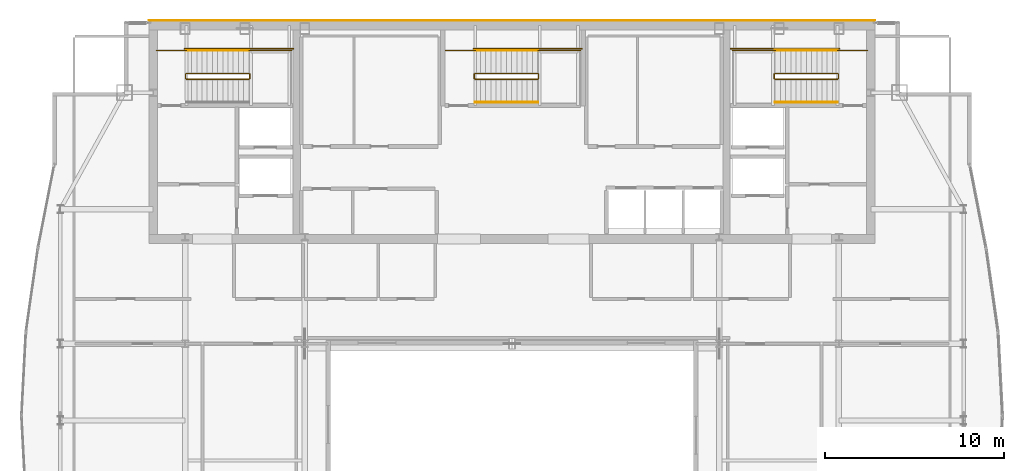
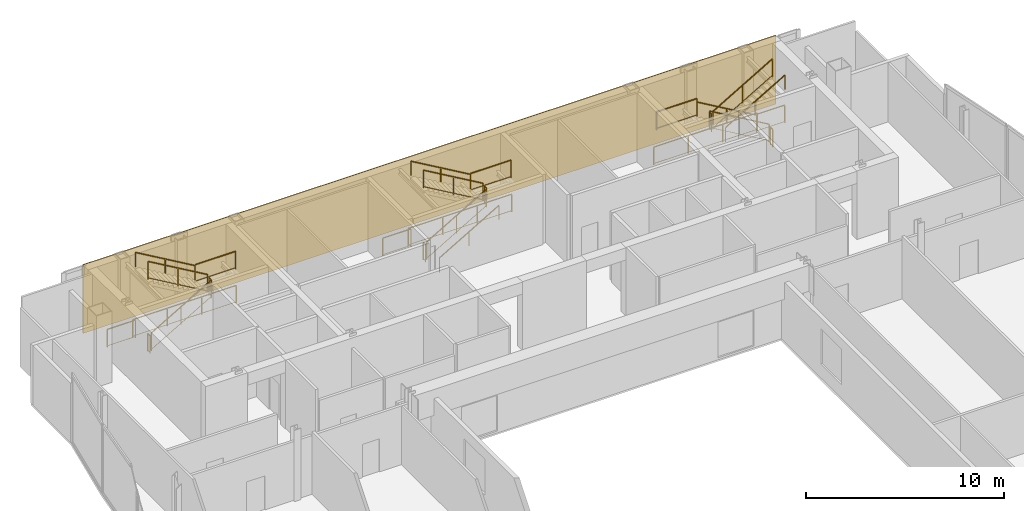
# One storey, part 27 of 27: 26 railings, 1 covering.
"""IFC4 building model written with IfcOpenShell, lengths in metres."""

from ifc_helpers import new_model, si_unit, direction, frame, origin, origin_2d, place, context, subcontext, project, spatial, polyline, rectangle, outline, extrude, material, layer, layer_set, type_object, element, save


model = new_model("IFC4")

# Units and contexts
model_context = context("Model", 3, precision=1e-05, world=origin(), true_north=direction((0.0, 1.0)))
body_context = subcontext(model_context, "Body", "Model", "MODEL_VIEW")
ifc_project = project(units=[si_unit("LENGTHUNIT", "METRE"), si_unit("AREAUNIT", "SQUARE_METRE"), si_unit("VOLUMEUNIT", "CUBIC_METRE"), si_unit("PLANEANGLEUNIT", "RADIAN"), si_unit("MASSUNIT", "GRAM", prefix="KILO")], contexts=[model_context])

# Site, building, storey
site_placement = place(None, origin())
site = spatial("IfcSite", under=ifc_project, at=site_placement, CompositionType="ELEMENT")
building_placement = place(site_placement, origin())
building = spatial("IfcBuilding", under=site, at=building_placement, Name="Khoronbel Lancet Exchange", CompositionType="ELEMENT")
storey_placement = place(building_placement, frame((0.0, 0.0, 310.199951171875)))
storey = spatial("IfcBuildingStorey", under=building, at=storey_placement, Name="L80", CompositionType="ELEMENT", Elevation=310.199951171875)

# Covering
ifc_material_1 = material(Name="Honed Egyptian Limestone & Bronze Rainscreen", Category="masonry")
ifc_layer = layer(ifc_material_1, 0.050048828125, Name="Honed Egyptian Limestone & Bronze Rainscreen")
ifc_layer_set = layer_set([ifc_layer], Name="Honed Egyptian Limestone & Bronze Rainscreen")
covering_type = type_object("IfcCoveringType", Name="COV-CLAD1", PredefinedType="CLADDING", material=ifc_layer_set)
covering_placement = place(storey_placement, origin())
element("IfcCovering", 1, at=covering_placement, inside=storey, type_object=covering_type, Name="Level L80 north rear-core stone and bronze rainscreen cladding", PredefinedType="CLADDING", context=body_context, shape_type="SweptSolid", body=[
    extrude(outline(polyline([(16.199951171875, 53.699951171875), (56.699951171875, 53.699951171875), (56.699951171875, 53.75), (16.199951171875, 53.75), (16.199951171875, 53.699951171875)])), origin(), (0.0, 0.0, 1.0), 4.239990234375),
])

# Railings
ifc_material_2 = material(Name="Painted Steel Balustrade", Category="steel")
railing_type_1 = type_object("IfcRailingType", Name="RL-STG110", PredefinedType="GUARDRAIL", material=ifc_material_2)
railing_1_placement = place(storey_placement, frame((18.300048828125, 50.449951171875, 0.169189453125)))
element("IfcRailing", 2, at=railing_1_placement, inside=storey, type_object=railing_type_1, Name="L80 ST1 stair guard 1", PredefinedType="GUARDRAIL", context=body_context, shape_type="SweptSolid", body=[
    extrude(rectangle(XDim=0.048095703125, YDim=0.048095703125, at=origin_2d()), frame((0.0, 0.0, 1.09619140625), z_axis=(0.863695377172, 0.0, 0.504014181796), x_axis=(0.0, 1.0, 0.0)), (0.0, 0.0, 1.0), 4.029296875),
    extrude(rectangle(XDim=0.02392578125, YDim=0.02392578125, at=origin_2d()), frame((0.0, 0.0, 0.080078125), z_axis=(0.863695377172, 0.0, 0.504014181796), x_axis=(0.0, 1.0, 0.0)), (0.0, 0.0, 1.0), 4.029296875),
    extrude(rectangle(XDim=0.0419921875, YDim=0.0419921875, at=origin_2d()), origin(), (0.0, 0.0, 1.0), 1.072021484375),
    extrude(rectangle(XDim=0.0419921875, YDim=0.0419921875, at=origin_2d()), frame((1.739990234375, 0.0, 1.015380859375)), (0.0, 0.0, 1.0), 1.072021484375),
    extrude(rectangle(XDim=0.0419921875, YDim=0.0419921875, at=origin_2d()), frame((3.47998046875, 0.0, 2.03076171875)), (0.0, 0.0, 1.0), 1.072021484375),
])
railing_2_placement = place(storey_placement, frame((21.830078125, 50.5, 2.199951171875)))
element("IfcRailing", 3, at=railing_2_placement, inside=storey, type_object=railing_type_1, Name="L80 ST1 stair guard 2", PredefinedType="GUARDRAIL", context=body_context, shape_type="SweptSolid", body=[
    extrude(rectangle(XDim=0.048095703125, YDim=0.048095703125, at=origin_2d()), frame((0.0, 0.0, 1.09619140625), z_axis=(0.0, 1.0, 0.0), x_axis=(-1.0, 0.0, 0.0)), (0.0, 0.0, 1.0), 0.219970703125),
    extrude(rectangle(XDim=0.02392578125, YDim=0.02392578125, at=origin_2d()), frame((0.0, 0.0, 0.080078125), z_axis=(0.0, 1.0, 0.0), x_axis=(-1.0, 0.0, 0.0)), (0.0, 0.0, 1.0), 0.219970703125),
    extrude(rectangle(XDim=0.0419921875, YDim=0.0419921875, at=origin_2d()), origin(), (0.0, 0.0, 1.0), 1.072021484375),
    extrude(rectangle(XDim=0.0419921875, YDim=0.0419921875, at=origin_2d()), frame((0.0, 0.219970703125, 0.0)), (0.0, 0.0, 1.0), 1.072021484375),
])
railing_3_placement = place(storey_placement, frame((21.780029296875, 52.050048828125, 2.199951171875)))
element("IfcRailing", 4, at=railing_3_placement, inside=storey, type_object=railing_type_1, Name="L80 ST1 stair guard 3", PredefinedType="GUARDRAIL", context=body_context, shape_type="SweptSolid", body=[
    extrude(rectangle(XDim=0.048095703125, YDim=0.048095703125, at=origin_2d()), frame((0.0, 0.0, 1.09619140625), z_axis=(1.0, 0.0, 0.0), x_axis=(0.0, 1.0, 0.0)), (0.0, 0.0, 1.0), 2.369873046875),
    extrude(rectangle(XDim=0.02392578125, YDim=0.02392578125, at=origin_2d()), frame((0.0, 0.0, 0.080078125), z_axis=(1.0, 0.0, 0.0), x_axis=(0.0, 1.0, 0.0)), (0.0, 0.0, 1.0), 2.369873046875),
    extrude(rectangle(XDim=0.0419921875, YDim=0.0419921875, at=origin_2d()), origin(), (0.0, 0.0, 1.0), 1.072021484375),
    extrude(rectangle(XDim=0.0419921875, YDim=0.0419921875, at=origin_2d()), frame((2.369873046875, 0.0, 0.0)), (0.0, 0.0, 1.0), 1.072021484375),
])
railing_4_placement = place(storey_placement, frame((21.780029296875, 50.77001953125, 2.369384765625)))
element("IfcRailing", 5, at=railing_4_placement, inside=storey, type_object=railing_type_1, Name="L80 ST1 stair guard 4", PredefinedType="GUARDRAIL", context=body_context, shape_type="SweptSolid", body=[
    extrude(rectangle(XDim=0.048095703125, YDim=0.048095703125, at=origin_2d()), frame((0.0, 0.0, 1.09619140625), z_axis=(-0.863695377172, 0.0, 0.504014181796), x_axis=(0.0, -1.0, 0.0)), (0.0, 0.0, 1.0), 4.029296875),
    extrude(rectangle(XDim=0.02392578125, YDim=0.02392578125, at=origin_2d()), frame((0.0, 0.0, 0.080078125), z_axis=(-0.863695377172, 0.0, 0.504014181796), x_axis=(0.0, -1.0, 0.0)), (0.0, 0.0, 1.0), 4.029296875),
    extrude(rectangle(XDim=0.0419921875, YDim=0.0419921875, at=origin_2d()), origin(), (0.0, 0.0, 1.0), 1.072021484375),
    extrude(rectangle(XDim=0.0419921875, YDim=0.0419921875, at=origin_2d()), frame((-1.739990234375, 0.0, 1.015380859375)), (0.0, 0.0, 1.0), 1.072021484375),
    extrude(rectangle(XDim=0.0419921875, YDim=0.0419921875, at=origin_2d()), frame((-3.47998046875, 0.0, 2.03076171875)), (0.0, 0.0, 1.0), 1.072021484375),
])
railing_5_placement = place(storey_placement, frame((18.25, 50.5, 0.0)))
element("IfcRailing", 6, at=railing_5_placement, inside=storey, type_object=railing_type_1, Name="L80 ST1 stair guard 5", PredefinedType="GUARDRAIL", context=body_context, shape_type="SweptSolid", body=[
    extrude(rectangle(XDim=0.048095703125, YDim=0.048095703125, at=origin_2d()), frame((0.0, 0.0, 1.09619140625), z_axis=(0.0, 1.0, 0.0), x_axis=(-1.0, 0.0, 0.0)), (0.0, 0.0, 1.0), 0.219970703125),
    extrude(rectangle(XDim=0.02392578125, YDim=0.02392578125, at=origin_2d()), frame((0.0, 0.0, 0.080078125), z_axis=(0.0, 1.0, 0.0), x_axis=(-1.0, 0.0, 0.0)), (0.0, 0.0, 1.0), 0.219970703125),
    extrude(rectangle(XDim=0.0419921875, YDim=0.0419921875, at=origin_2d()), origin(), (0.0, 0.0, 1.0), 1.072021484375),
    extrude(rectangle(XDim=0.0419921875, YDim=0.0419921875, at=origin_2d()), frame((0.0, 0.219970703125, 0.0)), (0.0, 0.0, 1.0), 1.072021484375),
])
railing_6_placement = place(storey_placement, frame((16.64990234375, 52.050048828125, 0.0)))
element("IfcRailing", 7, at=railing_6_placement, inside=storey, type_object=railing_type_1, Name="L80 ST1 stair guard 6", PredefinedType="GUARDRAIL", context=body_context, shape_type="SweptSolid", body=[
    extrude(rectangle(XDim=0.048095703125, YDim=0.048095703125, at=origin_2d()), frame((0.0, 0.0, 1.09619140625), z_axis=(1.0, 0.0, 0.0), x_axis=(0.0, 1.0, 0.0)), (0.0, 0.0, 1.0), 1.650146484375),
    extrude(rectangle(XDim=0.02392578125, YDim=0.02392578125, at=origin_2d()), frame((0.0, 0.0, 0.080078125), z_axis=(1.0, 0.0, 0.0), x_axis=(0.0, 1.0, 0.0)), (0.0, 0.0, 1.0), 1.650146484375),
    extrude(rectangle(XDim=0.0419921875, YDim=0.0419921875, at=origin_2d()), origin(), (0.0, 0.0, 1.0), 1.072021484375),
    extrude(rectangle(XDim=0.0419921875, YDim=0.0419921875, at=origin_2d()), frame((1.650146484375, 0.0, 0.0)), (0.0, 0.0, 1.0), 1.072021484375),
])
railing_7_placement = place(storey_placement, frame((18.199951171875, 52.14990234375, 0.0)))
element("IfcRailing", 8, at=railing_7_placement, inside=storey, type_object=railing_type_1, Name="L80 ST1 stair guard 7", PredefinedType="GUARDRAIL", context=body_context, shape_type="SweptSolid", body=[
    extrude(rectangle(XDim=0.048095703125, YDim=0.048095703125, at=origin_2d()), frame((0.0, 0.0, 1.09619140625), z_axis=(1.0, 0.0, 0.0), x_axis=(0.0, 1.0, 0.0)), (0.0, 0.0, 1.0), 6.050048828125),
    extrude(rectangle(XDim=0.02392578125, YDim=0.02392578125, at=origin_2d()), frame((0.0, 0.0, 0.080078125), z_axis=(1.0, 0.0, 0.0), x_axis=(0.0, 1.0, 0.0)), (0.0, 0.0, 1.0), 6.050048828125),
    extrude(rectangle(XDim=0.0419921875, YDim=0.0419921875, at=origin_2d()), origin(), (0.0, 0.0, 1.0), 1.072021484375),
    extrude(rectangle(XDim=0.0419921875, YDim=0.0419921875, at=origin_2d()), frame((2.0166015625, 0.0, 0.0)), (0.0, 0.0, 1.0), 1.072021484375),
    extrude(rectangle(XDim=0.0419921875, YDim=0.0419921875, at=origin_2d()), frame((4.033447265625, 0.0, 0.0)), (0.0, 0.0, 1.0), 1.072021484375),
    extrude(rectangle(XDim=0.0419921875, YDim=0.0419921875, at=origin_2d()), frame((6.050048828125, 0.0, 0.0)), (0.0, 0.0, 1.0), 1.072021484375),
])
railing_8_placement = place(storey_placement, frame((54.60009765625, 50.77001953125, 0.169189453125)))
element("IfcRailing", 9, at=railing_8_placement, inside=storey, type_object=railing_type_1, Name="L80 ST2 stair guard 1", PredefinedType="GUARDRAIL", context=body_context, shape_type="SweptSolid", body=[
    extrude(rectangle(XDim=0.048095703125, YDim=0.048095703125, at=origin_2d()), frame((0.0, 0.0, 1.09619140625), z_axis=(-0.863695377172, 0.0, 0.504014181796), x_axis=(0.0, -1.0, 0.0)), (0.0, 0.0, 1.0), 4.029296875),
    extrude(rectangle(XDim=0.02392578125, YDim=0.02392578125, at=origin_2d()), frame((0.0, 0.0, 0.080078125), z_axis=(-0.863695377172, 0.0, 0.504014181796), x_axis=(0.0, -1.0, 0.0)), (0.0, 0.0, 1.0), 4.029296875),
    extrude(rectangle(XDim=0.0419921875, YDim=0.0419921875, at=origin_2d()), origin(), (0.0, 0.0, 1.0), 1.072021484375),
    extrude(rectangle(XDim=0.0419921875, YDim=0.0419921875, at=origin_2d()), frame((-1.739990234375, 0.0, 1.015380859375)), (0.0, 0.0, 1.0), 1.072021484375),
    extrude(rectangle(XDim=0.0419921875, YDim=0.0419921875, at=origin_2d()), frame((-3.47998046875, 0.0, 2.03076171875)), (0.0, 0.0, 1.0), 1.072021484375),
])
railing_9_placement = place(storey_placement, frame((51.070068359375, 50.719970703125, 2.199951171875)))
element("IfcRailing", 10, at=railing_9_placement, inside=storey, type_object=railing_type_1, Name="L80 ST2 stair guard 2", PredefinedType="GUARDRAIL", context=body_context, shape_type="SweptSolid", body=[
    extrude(rectangle(XDim=0.048095703125, YDim=0.048095703125, at=origin_2d()), frame((0.0, 0.0, 1.09619140625), z_axis=(0.0, -1.0, 0.0), x_axis=(1.0, 0.0, 0.0)), (0.0, 0.0, 1.0), 0.219970703125),
    extrude(rectangle(XDim=0.02392578125, YDim=0.02392578125, at=origin_2d()), frame((0.0, 0.0, 0.080078125), z_axis=(0.0, -1.0, 0.0), x_axis=(1.0, 0.0, 0.0)), (0.0, 0.0, 1.0), 0.219970703125),
    extrude(rectangle(XDim=0.0419921875, YDim=0.0419921875, at=origin_2d()), origin(), (0.0, 0.0, 1.0), 1.072021484375),
    extrude(rectangle(XDim=0.0419921875, YDim=0.0419921875, at=origin_2d()), frame((0.0, -0.219970703125, 0.0)), (0.0, 0.0, 1.0), 1.072021484375),
])
railing_10_placement = place(storey_placement, frame((51.1201171875, 52.050048828125, 2.199951171875)))
element("IfcRailing", 11, at=railing_10_placement, inside=storey, type_object=railing_type_1, Name="L80 ST2 stair guard 3", PredefinedType="GUARDRAIL", context=body_context, shape_type="SweptSolid", body=[
    extrude(rectangle(XDim=0.048095703125, YDim=0.048095703125, at=origin_2d()), frame((0.0, 0.0, 1.09619140625), z_axis=(-1.0, 0.0, 0.0), x_axis=(0.0, -1.0, 0.0)), (0.0, 0.0, 1.0), 2.3701171875),
    extrude(rectangle(XDim=0.02392578125, YDim=0.02392578125, at=origin_2d()), frame((0.0, 0.0, 0.080078125), z_axis=(-1.0, 0.0, 0.0), x_axis=(0.0, -1.0, 0.0)), (0.0, 0.0, 1.0), 2.3701171875),
    extrude(rectangle(XDim=0.0419921875, YDim=0.0419921875, at=origin_2d()), origin(), (0.0, 0.0, 1.0), 1.072021484375),
    extrude(rectangle(XDim=0.0419921875, YDim=0.0419921875, at=origin_2d()), frame((-2.3701171875, 0.0, 0.0)), (0.0, 0.0, 1.0), 1.072021484375),
])
railing_11_placement = place(storey_placement, frame((51.1201171875, 50.449951171875, 2.369384765625)))
element("IfcRailing", 12, at=railing_11_placement, inside=storey, type_object=railing_type_1, Name="L80 ST2 stair guard 4", PredefinedType="GUARDRAIL", context=body_context, shape_type="SweptSolid", body=[
    extrude(rectangle(XDim=0.048095703125, YDim=0.048095703125, at=origin_2d()), frame((0.0, 0.0, 1.09619140625), z_axis=(0.863695377172, 0.0, 0.504014181796), x_axis=(0.0, 1.0, 0.0)), (0.0, 0.0, 1.0), 4.029296875),
    extrude(rectangle(XDim=0.02392578125, YDim=0.02392578125, at=origin_2d()), frame((0.0, 0.0, 0.080078125), z_axis=(0.863695377172, 0.0, 0.504014181796), x_axis=(0.0, 1.0, 0.0)), (0.0, 0.0, 1.0), 4.029296875),
    extrude(rectangle(XDim=0.0419921875, YDim=0.0419921875, at=origin_2d()), origin(), (0.0, 0.0, 1.0), 1.072021484375),
    extrude(rectangle(XDim=0.0419921875, YDim=0.0419921875, at=origin_2d()), frame((1.739990234375, 0.0, 1.015380859375)), (0.0, 0.0, 1.0), 1.072021484375),
    extrude(rectangle(XDim=0.0419921875, YDim=0.0419921875, at=origin_2d()), frame((3.47998046875, 0.0, 2.03076171875)), (0.0, 0.0, 1.0), 1.072021484375),
])
railing_12_placement = place(storey_placement, frame((54.64990234375, 50.719970703125, 0.0)))
element("IfcRailing", 13, at=railing_12_placement, inside=storey, type_object=railing_type_1, Name="L80 ST2 stair guard 5", PredefinedType="GUARDRAIL", context=body_context, shape_type="SweptSolid", body=[
    extrude(rectangle(XDim=0.048095703125, YDim=0.048095703125, at=origin_2d()), frame((0.0, 0.0, 1.09619140625), z_axis=(0.0, -1.0, 0.0), x_axis=(1.0, 0.0, 0.0)), (0.0, 0.0, 1.0), 0.219970703125),
    extrude(rectangle(XDim=0.02392578125, YDim=0.02392578125, at=origin_2d()), frame((0.0, 0.0, 0.080078125), z_axis=(0.0, -1.0, 0.0), x_axis=(1.0, 0.0, 0.0)), (0.0, 0.0, 1.0), 0.219970703125),
    extrude(rectangle(XDim=0.0419921875, YDim=0.0419921875, at=origin_2d()), origin(), (0.0, 0.0, 1.0), 1.072021484375),
    extrude(rectangle(XDim=0.0419921875, YDim=0.0419921875, at=origin_2d()), frame((0.0, -0.219970703125, 0.0)), (0.0, 0.0, 1.0), 1.072021484375),
])
railing_13_placement = place(storey_placement, frame((56.25, 52.050048828125, 0.0)))
element("IfcRailing", 14, at=railing_13_placement, inside=storey, type_object=railing_type_1, Name="L80 ST2 stair guard 6", PredefinedType="GUARDRAIL", context=body_context, shape_type="SweptSolid", body=[
    extrude(rectangle(XDim=0.048095703125, YDim=0.048095703125, at=origin_2d()), frame((0.0, 0.0, 1.09619140625), z_axis=(-1.0, 0.0, 0.0), x_axis=(0.0, -1.0, 0.0)), (0.0, 0.0, 1.0), 1.64990234375),
    extrude(rectangle(XDim=0.02392578125, YDim=0.02392578125, at=origin_2d()), frame((0.0, 0.0, 0.080078125), z_axis=(-1.0, 0.0, 0.0), x_axis=(0.0, -1.0, 0.0)), (0.0, 0.0, 1.0), 1.64990234375),
    extrude(rectangle(XDim=0.0419921875, YDim=0.0419921875, at=origin_2d()), origin(), (0.0, 0.0, 1.0), 1.072021484375),
    extrude(rectangle(XDim=0.0419921875, YDim=0.0419921875, at=origin_2d()), frame((-1.64990234375, 0.0, 0.0)), (0.0, 0.0, 1.0), 1.072021484375),
])
railing_14_placement = place(storey_placement, frame((54.699951171875, 52.14990234375, 0.0)))
element("IfcRailing", 15, at=railing_14_placement, inside=storey, type_object=railing_type_1, Name="L80 ST2 stair guard 7", PredefinedType="GUARDRAIL", context=body_context, shape_type="SweptSolid", body=[
    extrude(rectangle(XDim=0.048095703125, YDim=0.048095703125, at=origin_2d()), frame((0.0, 0.0, 1.09619140625), z_axis=(-1.0, 0.0, 0.0), x_axis=(0.0, -1.0, 0.0)), (0.0, 0.0, 1.0), 6.050048828125),
    extrude(rectangle(XDim=0.02392578125, YDim=0.02392578125, at=origin_2d()), frame((0.0, 0.0, 0.080078125), z_axis=(-1.0, 0.0, 0.0), x_axis=(0.0, -1.0, 0.0)), (0.0, 0.0, 1.0), 6.050048828125),
    extrude(rectangle(XDim=0.0419921875, YDim=0.0419921875, at=origin_2d()), origin(), (0.0, 0.0, 1.0), 1.072021484375),
    extrude(rectangle(XDim=0.0419921875, YDim=0.0419921875, at=origin_2d()), frame((-2.0166015625, 0.0, 0.0)), (0.0, 0.0, 1.0), 1.072021484375),
    extrude(rectangle(XDim=0.0419921875, YDim=0.0419921875, at=origin_2d()), frame((-4.033447265625, 0.0, 0.0)), (0.0, 0.0, 1.0), 1.072021484375),
    extrude(rectangle(XDim=0.0419921875, YDim=0.0419921875, at=origin_2d()), frame((-6.050048828125, 0.0, 0.0)), (0.0, 0.0, 1.0), 1.072021484375),
])
railing_15_placement = place(storey_placement, frame((34.39990234375, 50.449951171875, 0.169189453125)))
element("IfcRailing", 16, at=railing_15_placement, inside=storey, type_object=railing_type_1, Name="L80 ST3 stair guard 1", PredefinedType="GUARDRAIL", context=body_context, shape_type="SweptSolid", body=[
    extrude(rectangle(XDim=0.048095703125, YDim=0.048095703125, at=origin_2d()), frame((0.0, 0.0, 1.09619140625), z_axis=(0.863695377172, 0.0, 0.504014181796), x_axis=(0.0, 1.0, 0.0)), (0.0, 0.0, 1.0), 4.029296875),
    extrude(rectangle(XDim=0.02392578125, YDim=0.02392578125, at=origin_2d()), frame((0.0, 0.0, 0.080078125), z_axis=(0.863695377172, 0.0, 0.504014181796), x_axis=(0.0, 1.0, 0.0)), (0.0, 0.0, 1.0), 4.029296875),
    extrude(rectangle(XDim=0.0419921875, YDim=0.0419921875, at=origin_2d()), origin(), (0.0, 0.0, 1.0), 1.072021484375),
    extrude(rectangle(XDim=0.0419921875, YDim=0.0419921875, at=origin_2d()), frame((1.739990234375, 0.0, 1.015380859375)), (0.0, 0.0, 1.0), 1.072021484375),
    extrude(rectangle(XDim=0.0419921875, YDim=0.0419921875, at=origin_2d()), frame((3.47998046875, 0.0, 2.03076171875)), (0.0, 0.0, 1.0), 1.072021484375),
])
railing_16_placement = place(storey_placement, frame((37.929931640625, 50.5, 2.199951171875)))
element("IfcRailing", 17, at=railing_16_placement, inside=storey, type_object=railing_type_1, Name="L80 ST3 stair guard 2", PredefinedType="GUARDRAIL", context=body_context, shape_type="SweptSolid", body=[
    extrude(rectangle(XDim=0.048095703125, YDim=0.048095703125, at=origin_2d()), frame((0.0, 0.0, 1.09619140625), z_axis=(0.0, 1.0, 0.0), x_axis=(-1.0, 0.0, 0.0)), (0.0, 0.0, 1.0), 0.219970703125),
    extrude(rectangle(XDim=0.02392578125, YDim=0.02392578125, at=origin_2d()), frame((0.0, 0.0, 0.080078125), z_axis=(0.0, 1.0, 0.0), x_axis=(-1.0, 0.0, 0.0)), (0.0, 0.0, 1.0), 0.219970703125),
    extrude(rectangle(XDim=0.0419921875, YDim=0.0419921875, at=origin_2d()), origin(), (0.0, 0.0, 1.0), 1.072021484375),
    extrude(rectangle(XDim=0.0419921875, YDim=0.0419921875, at=origin_2d()), frame((0.0, 0.219970703125, 0.0)), (0.0, 0.0, 1.0), 1.072021484375),
])
railing_17_placement = place(storey_placement, frame((37.8798828125, 52.050048828125, 2.199951171875)))
element("IfcRailing", 18, at=railing_17_placement, inside=storey, type_object=railing_type_1, Name="L80 ST3 stair guard 3", PredefinedType="GUARDRAIL", context=body_context, shape_type="SweptSolid", body=[
    extrude(rectangle(XDim=0.048095703125, YDim=0.048095703125, at=origin_2d()), frame((0.0, 0.0, 1.09619140625), z_axis=(1.0, 0.0, 0.0), x_axis=(0.0, 1.0, 0.0)), (0.0, 0.0, 1.0), 2.3701171875),
    extrude(rectangle(XDim=0.02392578125, YDim=0.02392578125, at=origin_2d()), frame((0.0, 0.0, 0.080078125), z_axis=(1.0, 0.0, 0.0), x_axis=(0.0, 1.0, 0.0)), (0.0, 0.0, 1.0), 2.3701171875),
    extrude(rectangle(XDim=0.0419921875, YDim=0.0419921875, at=origin_2d()), origin(), (0.0, 0.0, 1.0), 1.072021484375),
    extrude(rectangle(XDim=0.0419921875, YDim=0.0419921875, at=origin_2d()), frame((2.3701171875, 0.0, 0.0)), (0.0, 0.0, 1.0), 1.072021484375),
])
railing_18_placement = place(storey_placement, frame((37.8798828125, 50.77001953125, 2.369384765625)))
element("IfcRailing", 19, at=railing_18_placement, inside=storey, type_object=railing_type_1, Name="L80 ST3 stair guard 4", PredefinedType="GUARDRAIL", context=body_context, shape_type="SweptSolid", body=[
    extrude(rectangle(XDim=0.048095703125, YDim=0.048095703125, at=origin_2d()), frame((0.0, 0.0, 1.09619140625), z_axis=(-0.863695377172, 0.0, 0.504014181796), x_axis=(0.0, -1.0, 0.0)), (0.0, 0.0, 1.0), 4.029296875),
    extrude(rectangle(XDim=0.02392578125, YDim=0.02392578125, at=origin_2d()), frame((0.0, 0.0, 0.080078125), z_axis=(-0.863695377172, 0.0, 0.504014181796), x_axis=(0.0, -1.0, 0.0)), (0.0, 0.0, 1.0), 4.029296875),
    extrude(rectangle(XDim=0.0419921875, YDim=0.0419921875, at=origin_2d()), origin(), (0.0, 0.0, 1.0), 1.072021484375),
    extrude(rectangle(XDim=0.0419921875, YDim=0.0419921875, at=origin_2d()), frame((-1.739990234375, 0.0, 1.015380859375)), (0.0, 0.0, 1.0), 1.072021484375),
    extrude(rectangle(XDim=0.0419921875, YDim=0.0419921875, at=origin_2d()), frame((-3.47998046875, 0.0, 2.03076171875)), (0.0, 0.0, 1.0), 1.072021484375),
])
railing_19_placement = place(storey_placement, frame((34.35009765625, 50.5, 0.0)))
element("IfcRailing", 20, at=railing_19_placement, inside=storey, type_object=railing_type_1, Name="L80 ST3 stair guard 5", PredefinedType="GUARDRAIL", context=body_context, shape_type="SweptSolid", body=[
    extrude(rectangle(XDim=0.048095703125, YDim=0.048095703125, at=origin_2d()), frame((0.0, 0.0, 1.09619140625), z_axis=(0.0, 1.0, 0.0), x_axis=(-1.0, 0.0, 0.0)), (0.0, 0.0, 1.0), 0.219970703125),
    extrude(rectangle(XDim=0.02392578125, YDim=0.02392578125, at=origin_2d()), frame((0.0, 0.0, 0.080078125), z_axis=(0.0, 1.0, 0.0), x_axis=(-1.0, 0.0, 0.0)), (0.0, 0.0, 1.0), 0.219970703125),
    extrude(rectangle(XDim=0.0419921875, YDim=0.0419921875, at=origin_2d()), origin(), (0.0, 0.0, 1.0), 1.072021484375),
    extrude(rectangle(XDim=0.0419921875, YDim=0.0419921875, at=origin_2d()), frame((0.0, 0.219970703125, 0.0)), (0.0, 0.0, 1.0), 1.072021484375),
])
railing_20_placement = place(storey_placement, frame((32.75, 52.050048828125, 0.0)))
element("IfcRailing", 21, at=railing_20_placement, inside=storey, type_object=railing_type_1, Name="L80 ST3 stair guard 6", PredefinedType="GUARDRAIL", context=body_context, shape_type="SweptSolid", body=[
    extrude(rectangle(XDim=0.048095703125, YDim=0.048095703125, at=origin_2d()), frame((0.0, 0.0, 1.09619140625), z_axis=(1.0, 0.0, 0.0), x_axis=(0.0, 1.0, 0.0)), (0.0, 0.0, 1.0), 1.64990234375),
    extrude(rectangle(XDim=0.02392578125, YDim=0.02392578125, at=origin_2d()), frame((0.0, 0.0, 0.080078125), z_axis=(1.0, 0.0, 0.0), x_axis=(0.0, 1.0, 0.0)), (0.0, 0.0, 1.0), 1.64990234375),
    extrude(rectangle(XDim=0.0419921875, YDim=0.0419921875, at=origin_2d()), origin(), (0.0, 0.0, 1.0), 1.072021484375),
    extrude(rectangle(XDim=0.0419921875, YDim=0.0419921875, at=origin_2d()), frame((1.64990234375, 0.0, 0.0)), (0.0, 0.0, 1.0), 1.072021484375),
])
railing_21_placement = place(storey_placement, frame((34.300048828125, 52.14990234375, 0.0)))
element("IfcRailing", 22, at=railing_21_placement, inside=storey, type_object=railing_type_1, Name="L80 ST3 stair guard 7", PredefinedType="GUARDRAIL", context=body_context, shape_type="SweptSolid", body=[
    extrude(rectangle(XDim=0.048095703125, YDim=0.048095703125, at=origin_2d()), frame((0.0, 0.0, 1.09619140625), z_axis=(1.0, 0.0, 0.0), x_axis=(0.0, 1.0, 0.0)), (0.0, 0.0, 1.0), 6.050048828125),
    extrude(rectangle(XDim=0.02392578125, YDim=0.02392578125, at=origin_2d()), frame((0.0, 0.0, 0.080078125), z_axis=(1.0, 0.0, 0.0), x_axis=(0.0, 1.0, 0.0)), (0.0, 0.0, 1.0), 6.050048828125),
    extrude(rectangle(XDim=0.0419921875, YDim=0.0419921875, at=origin_2d()), origin(), (0.0, 0.0, 1.0), 1.072021484375),
    extrude(rectangle(XDim=0.0419921875, YDim=0.0419921875, at=origin_2d()), frame((2.0166015625, 0.0, 0.0)), (0.0, 0.0, 1.0), 1.072021484375),
    extrude(rectangle(XDim=0.0419921875, YDim=0.0419921875, at=origin_2d()), frame((4.033447265625, 0.0, 0.0)), (0.0, 0.0, 1.0), 1.072021484375),
    extrude(rectangle(XDim=0.0419921875, YDim=0.0419921875, at=origin_2d()), frame((6.050048828125, 0.0, 0.0)), (0.0, 0.0, 1.0), 1.072021484375),
])
ifc_material_3 = material(Name="Brushed Stainless Steel 316", Category="steel")
railing_type_2 = type_object("IfcRailingType", Name="RL-STH92", PredefinedType="HANDRAIL", material=ifc_material_3)
for number, where, name in (
    (23, (21.780029296875, 52.050048828125, 2.369384765625), "L80 ST1 stair handrail 2"),
    (24, (54.60009765625, 52.050048828125, 0.169189453125), "L80 ST2 stair handrail 1"),
):
    element("IfcRailing", number, at=place(storey_placement, frame(where)), inside=storey, type_object=railing_type_2, Name=name, PredefinedType="HANDRAIL", context=body_context, shape_type="SweptSolid", body=[
        extrude(rectangle(XDim=0.048095703125, YDim=0.048095703125, at=origin_2d()), frame((0.0, 0.0, 0.8759765625), z_axis=(-0.863695377172, 0.0, 0.504014181796), x_axis=(0.0, -1.0, 0.0)), (0.0, 0.0, 1.0), 4.029296875),
        extrude(rectangle(XDim=0.0419921875, YDim=0.0419921875, at=origin_2d()), origin(), (0.0, 0.0, 1.0), 0.851806640625),
        extrude(rectangle(XDim=0.0419921875, YDim=0.0419921875, at=origin_2d()), frame((-1.739990234375, 0.0, 1.015380859375)), (0.0, 0.0, 1.0), 0.851806640625),
        extrude(rectangle(XDim=0.0419921875, YDim=0.0419921875, at=origin_2d()), frame((-3.47998046875, 0.0, 2.03076171875)), (0.0, 0.0, 1.0), 0.851806640625),
    ])
for number, where, name in (
    (25, (51.1201171875, 49.169921875, 2.369384765625), "L80 ST2 stair handrail 2"),
    (26, (34.39990234375, 49.169921875, 0.169189453125), "L80 ST3 stair handrail 1"),
):
    element("IfcRailing", number, at=place(storey_placement, frame(where)), inside=storey, type_object=railing_type_2, Name=name, PredefinedType="HANDRAIL", context=body_context, shape_type="SweptSolid", body=[
        extrude(rectangle(XDim=0.048095703125, YDim=0.048095703125, at=origin_2d()), frame((0.0, 0.0, 0.8759765625), z_axis=(0.863695377172, 0.0, 0.504014181796), x_axis=(0.0, 1.0, 0.0)), (0.0, 0.0, 1.0), 4.029296875),
        extrude(rectangle(XDim=0.0419921875, YDim=0.0419921875, at=origin_2d()), origin(), (0.0, 0.0, 1.0), 0.851806640625),
        extrude(rectangle(XDim=0.0419921875, YDim=0.0419921875, at=origin_2d()), frame((1.739990234375, 0.0, 1.015380859375)), (0.0, 0.0, 1.0), 0.851806640625),
        extrude(rectangle(XDim=0.0419921875, YDim=0.0419921875, at=origin_2d()), frame((3.47998046875, 0.0, 2.03076171875)), (0.0, 0.0, 1.0), 0.851806640625),
    ])
railing_22_placement = place(storey_placement, frame((37.8798828125, 52.050048828125, 2.369384765625)))
element("IfcRailing", 27, at=railing_22_placement, inside=storey, type_object=railing_type_2, Name="L80 ST3 stair handrail 2", PredefinedType="HANDRAIL", context=body_context, shape_type="SweptSolid", body=[
    extrude(rectangle(XDim=0.048095703125, YDim=0.048095703125, at=origin_2d()), frame((0.0, 0.0, 0.8759765625), z_axis=(-0.863695377172, 0.0, 0.504014181796), x_axis=(0.0, -1.0, 0.0)), (0.0, 0.0, 1.0), 4.029296875),
    extrude(rectangle(XDim=0.0419921875, YDim=0.0419921875, at=origin_2d()), origin(), (0.0, 0.0, 1.0), 0.851806640625),
    extrude(rectangle(XDim=0.0419921875, YDim=0.0419921875, at=origin_2d()), frame((-1.739990234375, 0.0, 1.015380859375)), (0.0, 0.0, 1.0), 0.851806640625),
    extrude(rectangle(XDim=0.0419921875, YDim=0.0419921875, at=origin_2d()), frame((-3.47998046875, 0.0, 2.03076171875)), (0.0, 0.0, 1.0), 0.851806640625),
])

save(model, "model.ifc")
